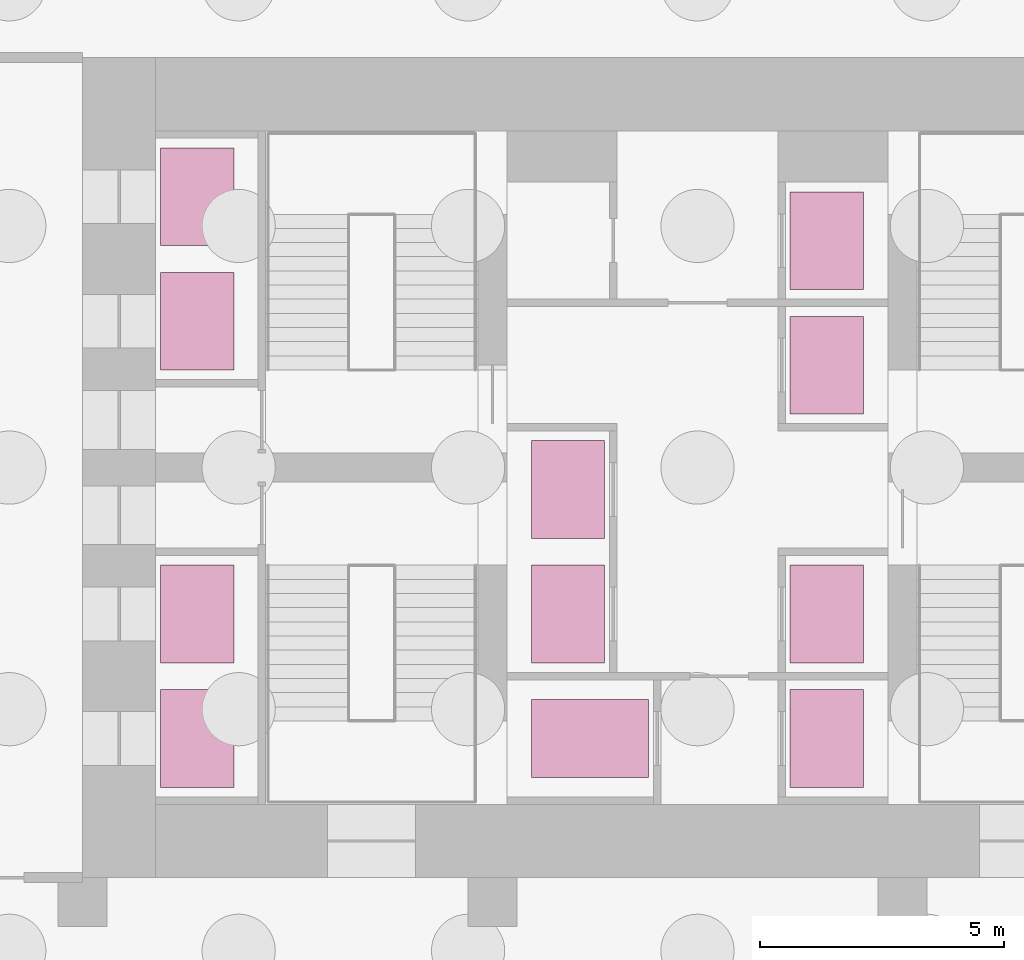
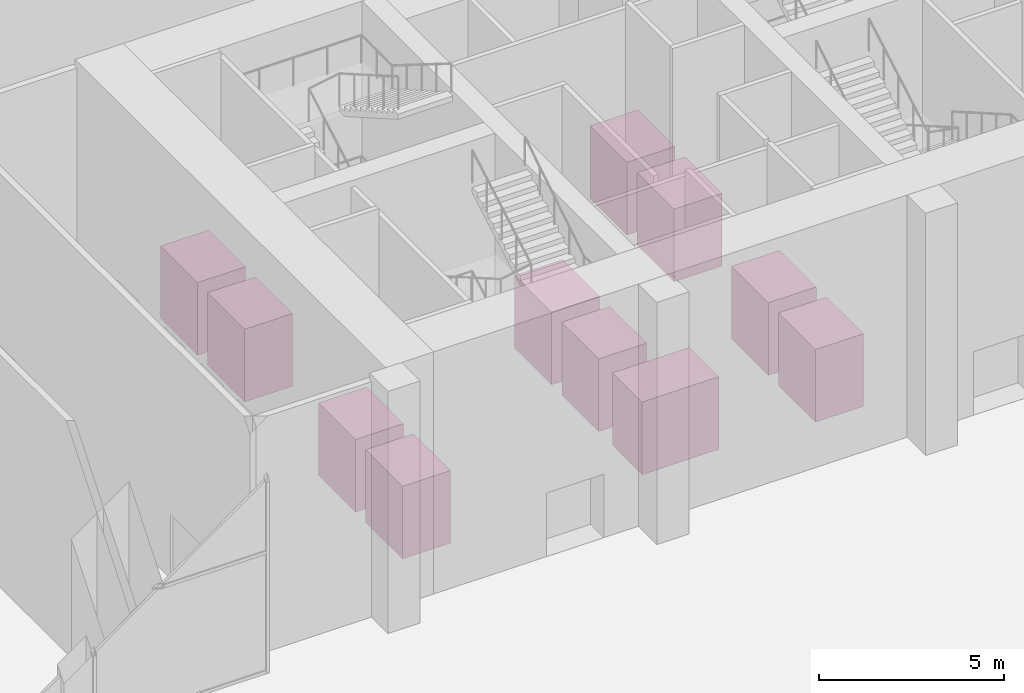
# One storey, part 31 of 31: 11 transport elements.
"""IFC4 building model written with IfcOpenShell, lengths in metres."""

from ifc_helpers import new_model, si_unit, direction, frame, origin, origin_2d, place, context, subcontext, project, spatial, rectangle, extrude, material, type_object, element, save


model = new_model("IFC4")

# Units and contexts
model_context = context("Model", 3, precision=1e-05, world=origin(), true_north=direction((0.0, 1.0)))
body_context = subcontext(model_context, "Body", "Model", "MODEL_VIEW")
ifc_project = project(units=[si_unit("LENGTHUNIT", "METRE"), si_unit("AREAUNIT", "SQUARE_METRE"), si_unit("VOLUMEUNIT", "CUBIC_METRE"), si_unit("PLANEANGLEUNIT", "RADIAN"), si_unit("MASSUNIT", "GRAM", prefix="KILO")], contexts=[model_context])

# Site, building, storey
site_placement = place(None, origin())
site = spatial("IfcSite", under=ifc_project, at=site_placement, CompositionType="ELEMENT")
building_placement = place(site_placement, origin())
building = spatial("IfcBuilding", under=site, at=building_placement, Name="Marenta Gate Hotel Tower", CompositionType="ELEMENT")
storey_placement = place(building_placement, origin())
storey = spatial("IfcBuildingStorey", under=building, at=storey_placement, Name="L00", CompositionType="ELEMENT", Elevation=0.0)

# Transport elements
ifc_material_1 = material(Name="Stainless steel", Category="steel")
transport_element_type_1 = type_object("IfcTransportElementType", Name="Core fire-fighting lift car 1600x2400 1600 kg", PredefinedType="ELEVATOR", material=ifc_material_1)
transport_element_1_placement = place(storey_placement, frame((-2.199951171875, 2.85009765625, 0.0), z_axis=(0.0, 0.0, 1.0), x_axis=(1.0, 0.0, 0.0)))
element("IfcTransportElement", 1, at=transport_element_1_placement, inside=storey, type_object=transport_element_type_1, Name="Fire-fighting lift FF1", PredefinedType="ELEVATOR", context=body_context, shape_type="SweptSolid", body=[
    extrude(rectangle(XDim=2.39990234375, YDim=1.60009765625, at=origin_2d()), origin(), (0.0, 0.0, 1.0), 2.39990234375),
])
ifc_material_2 = material(Name="Stainless steel", Category="steel")
transport_element_type_2 = type_object("IfcTransportElementType", Name="Core fire-fighting lift car 2000x1500 1600 kg", PredefinedType="ELEVATOR", material=ifc_material_2)
transport_element_2_placement = place(storey_placement, frame((2.64990234375, 13.050048828125, 0.0), z_axis=(0.0, 0.0, 1.0), x_axis=(1.0, 0.0, 0.0)))
element("IfcTransportElement", 2, at=transport_element_2_placement, inside=storey, type_object=transport_element_type_2, Name="Fire-fighting lift FF2", PredefinedType="ELEVATOR", context=body_context, shape_type="SweptSolid", body=[
    extrude(rectangle(XDim=1.5, YDim=2.0, at=origin_2d()), origin(), (0.0, 0.0, 1.0), 2.39990234375),
])
ifc_material_3 = material(Name="Stainless steel", Category="steel")
transport_element_type_3 = type_object("IfcTransportElementType", Name="Core low-rise passenger lift car 2000x1500 1350 kg", PredefinedType="ELEVATOR", material=ifc_material_3)
for number, where, z_axis, x_axis, name in (
    (3, (-10.25, 2.85009765625, 0.0), (0.0, 0.0, 1.0), (1.0, 0.0, 0.0), "Low-rise passenger lift LR1"),
    (4, (-10.25, 5.39990234375, 0.0), (0.0, 0.0, 1.0), (1.0, 0.0, 0.0), "Low-rise passenger lift LR2"),
    (5, (-10.25, 11.39990234375, 0.0), (0.0, 0.0, 1.0), (1.0, 0.0, 0.0), "Low-rise passenger lift LR3"),
    (6, (-10.25, 13.949951171875, 0.0), (0.0, 0.0, 1.0), (1.0, 0.0, 0.0), "Low-rise passenger lift LR4"),
):
    element("IfcTransportElement", number, at=place(storey_placement, frame(where, z_axis=z_axis, x_axis=x_axis)), inside=storey, type_object=transport_element_type_3, Name=name, PredefinedType="ELEVATOR", context=body_context, shape_type="SweptSolid", body=[
        extrude(rectangle(XDim=1.5, YDim=2.0, at=origin_2d()), origin(), (0.0, 0.0, 1.0), 2.39990234375),
    ])
ifc_material_4 = material(Name="Stainless steel", Category="steel")
transport_element_type_4 = type_object("IfcTransportElementType", Name="Core observation lift car 2000x1500 1350 kg", PredefinedType="ELEVATOR", material=ifc_material_4)
for number, where, z_axis, x_axis, name in (
    (7, (-2.64990234375, 5.39990234375, 0.0), (0.0, 0.0, 1.0), (1.0, 0.0, 0.0), "Observation lift OB1"),
    (8, (-2.64990234375, 7.949951171875, 0.0), (0.0, 0.0, 1.0), (1.0, 0.0, 0.0), "Observation lift OB2"),
):
    element("IfcTransportElement", number, at=place(storey_placement, frame(where, z_axis=z_axis, x_axis=x_axis)), inside=storey, type_object=transport_element_type_4, Name=name, PredefinedType="ELEVATOR", context=body_context, shape_type="SweptSolid", body=[
        extrude(rectangle(XDim=1.5, YDim=2.0, at=origin_2d()), origin(), (0.0, 0.0, 1.0), 2.39990234375),
    ])
ifc_material_5 = material(Name="Stainless steel", Category="steel")
transport_element_type_5 = type_object("IfcTransportElementType", Name="Core service lift car 2000x1500 1600 kg", PredefinedType="ELEVATOR", material=ifc_material_5)
transport_element_3_placement = place(storey_placement, frame((2.64990234375, 2.85009765625, 0.0), z_axis=(0.0, 0.0, 1.0), x_axis=(1.0, 0.0, 0.0)))
element("IfcTransportElement", 9, at=transport_element_3_placement, inside=storey, type_object=transport_element_type_5, Name="Service lift SV1", PredefinedType="ELEVATOR", context=body_context, shape_type="SweptSolid", body=[
    extrude(rectangle(XDim=1.5, YDim=2.0, at=origin_2d()), origin(), (0.0, 0.0, 1.0), 2.39990234375),
])
ifc_material_6 = material(Name="Stainless steel", Category="steel")
transport_element_type_6 = type_object("IfcTransportElementType", Name="Core shuttle lift car 2000x1500 1350 kg", PredefinedType="ELEVATOR", material=ifc_material_6)
for number, where, z_axis, x_axis, name in (
    (10, (2.64990234375, 5.39990234375, 0.0), (0.0, 0.0, 1.0), (1.0, 0.0, 0.0), "Shuttle lift SH1"),
    (11, (2.64990234375, 10.5, 0.0), (0.0, 0.0, 1.0), (1.0, 0.0, 0.0), "Shuttle lift SH2"),
):
    element("IfcTransportElement", number, at=place(storey_placement, frame(where, z_axis=z_axis, x_axis=x_axis)), inside=storey, type_object=transport_element_type_6, Name=name, PredefinedType="ELEVATOR", context=body_context, shape_type="SweptSolid", body=[
        extrude(rectangle(XDim=1.5, YDim=2.0, at=origin_2d()), origin(), (0.0, 0.0, 1.0), 2.39990234375),
    ])

save(model, "model.ifc")
